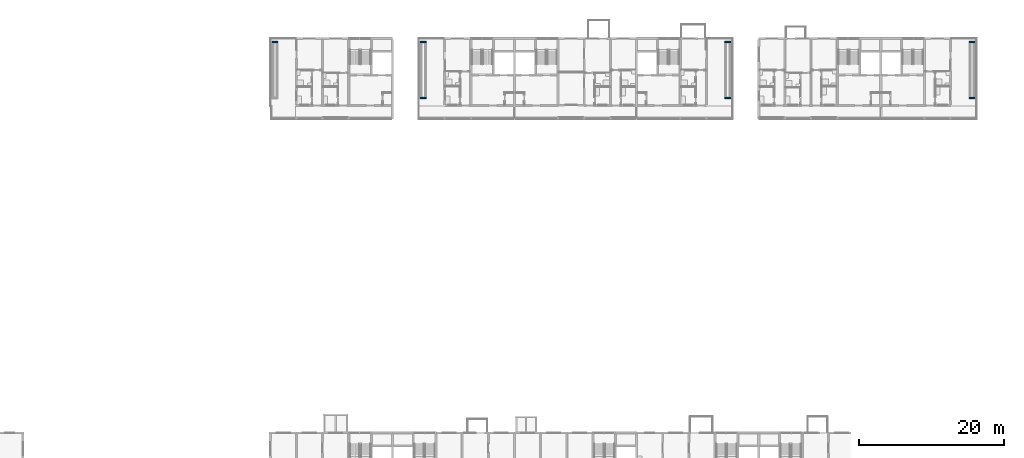
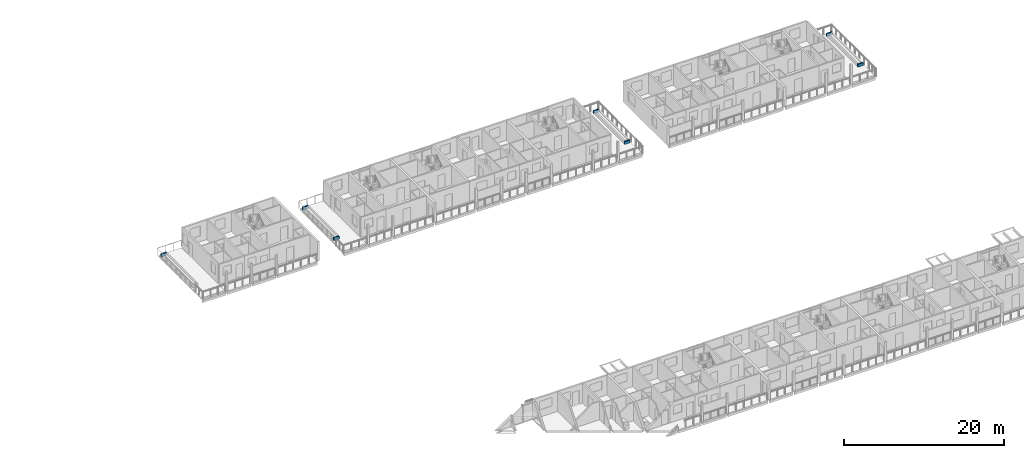
# One storey, part 61 of 94: 7 walls.
"""IFC4 building model written with IfcOpenShell, lengths in metres."""

from ifc_helpers import new_model, si_unit, direction, frame, frame_2d, origin, place, context, subcontext, project, spatial, rectangle, extrude, material, layer, layer_set, type_object, element, save


model = new_model("IFC4")

# Units and contexts
model_context = context("Model", 3, precision=1e-05, world=origin(), true_north=direction((0.0, 1.0)))
body_context = subcontext(model_context, "Body", "Model", "MODEL_VIEW")
ifc_project = project(units=[si_unit("LENGTHUNIT", "METRE"), si_unit("AREAUNIT", "SQUARE_METRE"), si_unit("VOLUMEUNIT", "CUBIC_METRE"), si_unit("PLANEANGLEUNIT", "RADIAN"), si_unit("MASSUNIT", "GRAM", prefix="KILO")], contexts=[model_context])

# Site, building, storey
site_placement = place(None, origin())
site = spatial("IfcSite", under=ifc_project, at=site_placement, CompositionType="ELEMENT")
building_placement = place(site_placement, origin())
building = spatial("IfcBuilding", under=site, at=building_placement, Name="Ridgestep Commons", CompositionType="ELEMENT")
storey_placement = place(building_placement, frame((0.0, 0.0, 24.0)))
storey = spatial("IfcBuildingStorey", under=building, at=storey_placement, Name="L08", CompositionType="ELEMENT", Elevation=24.0)

# Walls
ifc_material = material(Name="Facing brick", Category="masonry")
ifc_layer = layer(ifc_material, 0.199951171875)
ifc_layer_set = layer_set([ifc_layer], Name="Planter wall 200")
wall_type = type_object("IfcWallType", Name="Planter wall 200", PredefinedType="SOLIDWALL", material=ifc_layer_set)
for number, where, z_axis, x_axis, name in (
    (1, (147.050048828125, 76.60009765625, 0.010009765625), (0.0, 0.0, 1.0), (1.0, 0.0, 0.0), "Planter wall C1R1N"),
    (2, (167.449951171875, 68.89990234375, 0.010009765625), (0.0, 0.0, 1.0), (1.0, 0.0, 0.0), "Planter wall C2R2S"),
    (3, (167.449951171875, 76.60009765625, 0.010009765625), (0.0, 0.0, 1.0), (1.0, 0.0, 0.0), "Planter wall C2R2N"),
):
    element("IfcWall", number, at=place(storey_placement, frame(where, z_axis=z_axis, x_axis=x_axis)), inside=storey, type_object=wall_type, Name=name, PredefinedType="SOLIDWALL", context=body_context, shape_type="SweptSolid", body=[
        extrude(rectangle(XDim=0.800048828125, YDim=0.199951171875, at=frame_2d((0.39990234375, 0.0))), origin(), (0.0, 0.0, 1.0), 0.449951171875),
    ])
for number, where, z_axis, x_axis, name in (
    (4, (209.35009765625, 68.89990234375, 0.010009765625), (0.0, 0.0, 1.0), (1.0, 0.0, 0.0), "Planter wall C4R2S"),
    (5, (209.35009765625, 76.60009765625, 0.010009765625), (0.0, 0.0, 1.0), (1.0, 0.0, 0.0), "Planter wall C4R2N"),
):
    element("IfcWall", number, at=place(storey_placement, frame(where, z_axis=z_axis, x_axis=x_axis)), inside=storey, type_object=wall_type, Name=name, PredefinedType="SOLIDWALL", context=body_context, shape_type="SweptSolid", body=[
        extrude(rectangle(XDim=0.7998046875, YDim=0.199951171875, at=frame_2d((0.39990234375, 0.0))), origin(), (0.0, 0.0, 1.0), 0.449951171875),
    ])
for number, where, z_axis, x_axis, name in (
    (6, (242.949951171875, 68.89990234375, 0.010009765625), (0.0, 0.0, 1.0), (1.0, 0.0, 0.0), "Planter wall C6R2S"),
    (7, (242.949951171875, 76.60009765625, 0.010009765625), (0.0, 0.0, 1.0), (1.0, 0.0, 0.0), "Planter wall C6R2N"),
):
    element("IfcWall", number, at=place(storey_placement, frame(where, z_axis=z_axis, x_axis=x_axis)), inside=storey, type_object=wall_type, Name=name, PredefinedType="SOLIDWALL", context=body_context, shape_type="SweptSolid", body=[
        extrude(rectangle(XDim=0.800048828125, YDim=0.199951171875, at=frame_2d((0.39990234375, 0.0))), origin(), (0.0, 0.0, 1.0), 0.449951171875),
    ])

save(model, "model.ifc")
